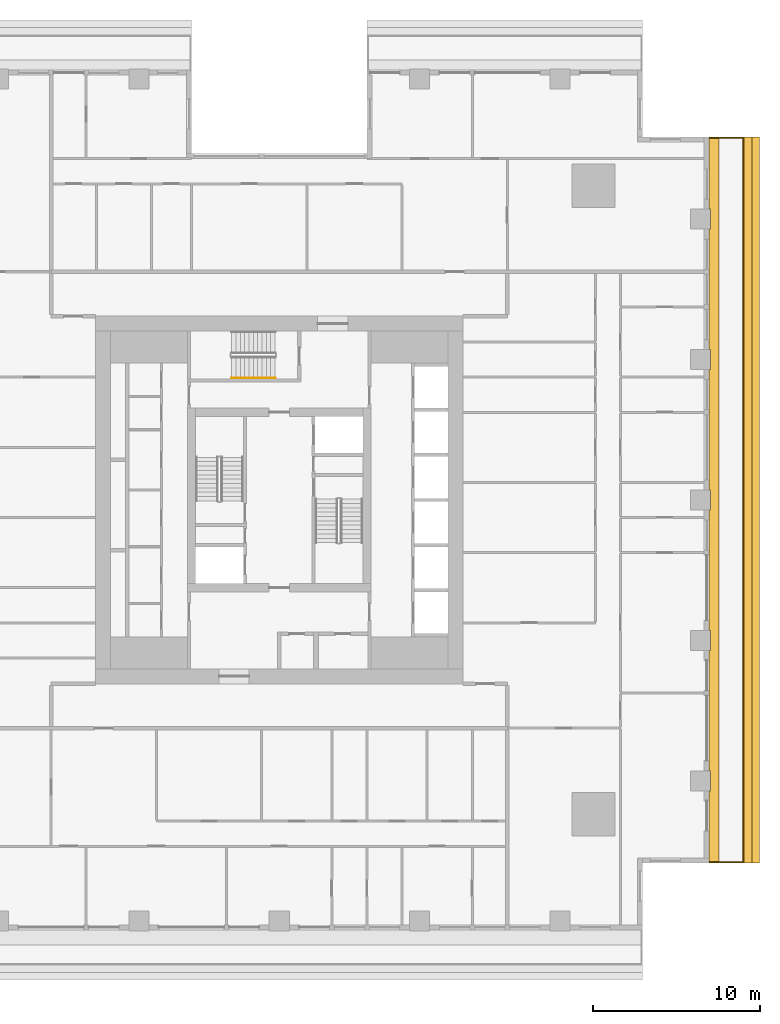
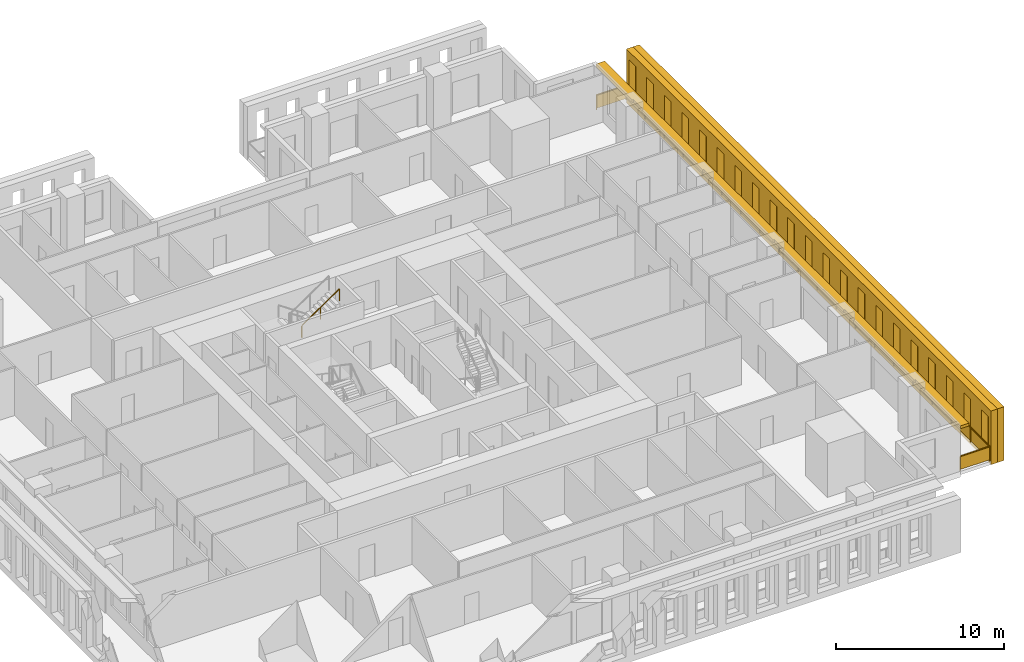
# One storey, part 13 of 15: 3 shading devices, 2 railings.
"""IFC4 building model written with IfcOpenShell, lengths in metres."""

from ifc_helpers import new_model, si_unit, direction, frame, origin, origin_2d, place, context, subcontext, project, spatial, polyline, rectangle, outline, extrude, material, layer, layer_set, type_object, element, save


model = new_model("IFC4")

# Units and contexts
model_context = context("Model", 3, precision=1e-05, world=origin(), true_north=direction((0.0, 1.0)))
body_context = subcontext(model_context, "Body", "Model", "MODEL_VIEW")
ifc_project = project(units=[si_unit("LENGTHUNIT", "METRE"), si_unit("AREAUNIT", "SQUARE_METRE"), si_unit("VOLUMEUNIT", "CUBIC_METRE"), si_unit("PLANEANGLEUNIT", "RADIAN"), si_unit("MASSUNIT", "GRAM", prefix="KILO")], contexts=[model_context])

# Site, building, storey
site_placement = place(None, origin())
site = spatial("IfcSite", under=ifc_project, at=site_placement, CompositionType="ELEMENT")
building_placement = place(site_placement, origin())
building = spatial("IfcBuilding", under=site, at=building_placement, Name="Khepri Terraces", CompositionType="ELEMENT")
storey_placement = place(building_placement, frame((0.0, 0.0, 145.5)))
storey = spatial("IfcBuildingStorey", under=building, at=storey_placement, Name="L34", CompositionType="ELEMENT", Elevation=145.5)

# Railings
ifc_material_1 = material(Name="Stainless steel grade 316", Category="steel")
railing_type_1 = type_object("IfcRailingType", Name="GRD-BAL-1100", PredefinedType="GUARDRAIL", material=ifc_material_1)
railing_1_placement = place(storey_placement, frame((25.719970703125, -21.669921875, 0.0)))
element("IfcRailing", 1, at=railing_1_placement, inside=storey, type_object=railing_type_1, Name="Balcony guard L34 E", PredefinedType="GUARDRAIL", context=body_context, shape_type="SweptSolid", body=[
    extrude(rectangle(XDim=0.050048828125, YDim=0.06005859375, at=origin_2d()), frame((0.0, 0.0, 1.070068359375), z_axis=(1.0, 0.0, 0.0), x_axis=(0.0, 1.0, 0.0)), (0.0, 0.0, 1.0), 2.050048828125),
    extrude(rectangle(XDim=2.0, YDim=0.011962890625, at=origin_2d()), frame((1.02490234375, 0.0, 0.10009765625), z_axis=(0.0, 0.0, 1.0), x_axis=(1.0, 0.0, 0.0)), (0.0, 0.0, 1.0), 0.93994140625),
    extrude(rectangle(XDim=0.050048828125, YDim=0.06005859375, at=origin_2d()), frame((2.050048828125, 0.0, 1.070068359375), z_axis=(0.0, 1.0, 0.0), x_axis=(-1.0, 0.0, 0.0)), (0.0, 0.0, 1.0), 43.33984375),
    extrude(rectangle(XDim=2.23095703125, YDim=0.011962890625, at=origin_2d()), frame((2.050048828125, 1.140625, 0.10009765625), z_axis=(0.0, 0.0, 1.0), x_axis=(0.0, 1.0, 0.0)), (0.0, 0.0, 1.0), 0.93994140625),
    extrude(rectangle(XDim=2.23095703125, YDim=0.011962890625, at=origin_2d()), frame((2.050048828125, 3.421630859375, 0.10009765625), z_axis=(0.0, 0.0, 1.0), x_axis=(0.0, 1.0, 0.0)), (0.0, 0.0, 1.0), 0.93994140625),
    extrude(rectangle(XDim=2.23095703125, YDim=0.011962890625, at=origin_2d()), frame((2.050048828125, 5.70263671875, 0.10009765625), z_axis=(0.0, 0.0, 1.0), x_axis=(0.0, 1.0, 0.0)), (0.0, 0.0, 1.0), 0.93994140625),
    extrude(rectangle(XDim=2.23095703125, YDim=0.011962890625, at=origin_2d()), frame((2.050048828125, 7.983642578125, 0.10009765625), z_axis=(0.0, 0.0, 1.0), x_axis=(0.0, 1.0, 0.0)), (0.0, 0.0, 1.0), 0.93994140625),
    extrude(rectangle(XDim=2.23095703125, YDim=0.011962890625, at=origin_2d()), frame((2.050048828125, 10.2646484375, 0.10009765625), z_axis=(0.0, 0.0, 1.0), x_axis=(0.0, 1.0, 0.0)), (0.0, 0.0, 1.0), 0.93994140625),
    extrude(rectangle(XDim=2.23095703125, YDim=0.011962890625, at=origin_2d()), frame((2.050048828125, 12.545654296875, 0.10009765625), z_axis=(0.0, 0.0, 1.0), x_axis=(0.0, 1.0, 0.0)), (0.0, 0.0, 1.0), 0.93994140625),
    extrude(rectangle(XDim=2.23095703125, YDim=0.011962890625, at=origin_2d()), frame((2.050048828125, 14.826904296875, 0.10009765625), z_axis=(0.0, 0.0, 1.0), x_axis=(0.0, 1.0, 0.0)), (0.0, 0.0, 1.0), 0.93994140625),
    extrude(rectangle(XDim=2.23095703125, YDim=0.011962890625, at=origin_2d()), frame((2.050048828125, 17.10791015625, 0.10009765625), z_axis=(0.0, 0.0, 1.0), x_axis=(0.0, 1.0, 0.0)), (0.0, 0.0, 1.0), 0.93994140625),
    extrude(rectangle(XDim=2.23095703125, YDim=0.011962890625, at=origin_2d()), frame((2.050048828125, 19.388916015625, 0.10009765625), z_axis=(0.0, 0.0, 1.0), x_axis=(0.0, 1.0, 0.0)), (0.0, 0.0, 1.0), 0.93994140625),
    extrude(rectangle(XDim=2.23095703125, YDim=0.011962890625, at=origin_2d()), frame((2.050048828125, 21.669921875, 0.10009765625), z_axis=(0.0, 0.0, 1.0), x_axis=(0.0, 1.0, 0.0)), (0.0, 0.0, 1.0), 0.93994140625),
    extrude(rectangle(XDim=2.23095703125, YDim=0.011962890625, at=origin_2d()), frame((2.050048828125, 23.950927734375, 0.10009765625), z_axis=(0.0, 0.0, 1.0), x_axis=(0.0, 1.0, 0.0)), (0.0, 0.0, 1.0), 0.93994140625),
    extrude(rectangle(XDim=2.23095703125, YDim=0.011962890625, at=origin_2d()), frame((2.050048828125, 26.23193359375, 0.10009765625), z_axis=(0.0, 0.0, 1.0), x_axis=(0.0, 1.0, 0.0)), (0.0, 0.0, 1.0), 0.93994140625),
    extrude(rectangle(XDim=2.23095703125, YDim=0.011962890625, at=origin_2d()), frame((2.050048828125, 28.512939453125, 0.10009765625), z_axis=(0.0, 0.0, 1.0), x_axis=(0.0, 1.0, 0.0)), (0.0, 0.0, 1.0), 0.93994140625),
    extrude(rectangle(XDim=2.23095703125, YDim=0.011962890625, at=origin_2d()), frame((2.050048828125, 30.794189453125, 0.10009765625), z_axis=(0.0, 0.0, 1.0), x_axis=(0.0, 1.0, 0.0)), (0.0, 0.0, 1.0), 0.93994140625),
    extrude(rectangle(XDim=2.23095703125, YDim=0.011962890625, at=origin_2d()), frame((2.050048828125, 33.0751953125, 0.10009765625), z_axis=(0.0, 0.0, 1.0), x_axis=(0.0, 1.0, 0.0)), (0.0, 0.0, 1.0), 0.93994140625),
    extrude(rectangle(XDim=2.23095703125, YDim=0.011962890625, at=origin_2d()), frame((2.050048828125, 35.356201171875, 0.10009765625), z_axis=(0.0, 0.0, 1.0), x_axis=(0.0, 1.0, 0.0)), (0.0, 0.0, 1.0), 0.93994140625),
    extrude(rectangle(XDim=2.23095703125, YDim=0.011962890625, at=origin_2d()), frame((2.050048828125, 37.63720703125, 0.10009765625), z_axis=(0.0, 0.0, 1.0), x_axis=(0.0, 1.0, 0.0)), (0.0, 0.0, 1.0), 0.93994140625),
    extrude(rectangle(XDim=2.23095703125, YDim=0.011962890625, at=origin_2d()), frame((2.050048828125, 39.918212890625, 0.10009765625), z_axis=(0.0, 0.0, 1.0), x_axis=(0.0, 1.0, 0.0)), (0.0, 0.0, 1.0), 0.93994140625),
    extrude(rectangle(XDim=2.23095703125, YDim=0.011962890625, at=origin_2d()), frame((2.050048828125, 42.19921875, 0.10009765625), z_axis=(0.0, 0.0, 1.0), x_axis=(0.0, 1.0, 0.0)), (0.0, 0.0, 1.0), 0.93994140625),
    extrude(rectangle(XDim=0.050048828125, YDim=0.06005859375, at=origin_2d()), frame((2.050048828125, 43.33984375, 1.070068359375), z_axis=(-1.0, 0.0, 0.0), x_axis=(0.0, -1.0, 0.0)), (0.0, 0.0, 1.0), 2.050048828125),
    extrude(rectangle(XDim=2.0, YDim=0.011962890625, at=origin_2d()), frame((1.02490234375, 43.33984375, 0.10009765625), z_axis=(0.0, 0.0, 1.0), x_axis=(-1.0, 0.0, 0.0)), (0.0, 0.0, 1.0), 0.93994140625),
    extrude(rectangle(XDim=0.050048828125, YDim=0.050048828125, at=origin_2d()), origin(), (0.0, 0.0, 1.0), 1.0400390625),
    extrude(rectangle(XDim=0.050048828125, YDim=0.050048828125, at=origin_2d()), frame((2.050048828125, 0.0, 0.0)), (0.0, 0.0, 1.0), 1.0400390625),
    extrude(rectangle(XDim=0.050048828125, YDim=0.050048828125, at=origin_2d()), frame((2.050048828125, 2.281005859375, 0.0)), (0.0, 0.0, 1.0), 1.0400390625),
    extrude(rectangle(XDim=0.050048828125, YDim=0.050048828125, at=origin_2d()), frame((2.050048828125, 4.56201171875, 0.0)), (0.0, 0.0, 1.0), 1.0400390625),
    extrude(rectangle(XDim=0.050048828125, YDim=0.050048828125, at=origin_2d()), frame((2.050048828125, 6.843017578125, 0.0)), (0.0, 0.0, 1.0), 1.0400390625),
    extrude(rectangle(XDim=0.050048828125, YDim=0.050048828125, at=origin_2d()), frame((2.050048828125, 9.124267578125, 0.0)), (0.0, 0.0, 1.0), 1.0400390625),
    extrude(rectangle(XDim=0.050048828125, YDim=0.050048828125, at=origin_2d()), frame((2.050048828125, 11.4052734375, 0.0)), (0.0, 0.0, 1.0), 1.0400390625),
    extrude(rectangle(XDim=0.050048828125, YDim=0.050048828125, at=origin_2d()), frame((2.050048828125, 13.686279296875, 0.0)), (0.0, 0.0, 1.0), 1.0400390625),
    extrude(rectangle(XDim=0.050048828125, YDim=0.050048828125, at=origin_2d()), frame((2.050048828125, 15.96728515625, 0.0)), (0.0, 0.0, 1.0), 1.0400390625),
    extrude(rectangle(XDim=0.050048828125, YDim=0.050048828125, at=origin_2d()), frame((2.050048828125, 18.248291015625, 0.0)), (0.0, 0.0, 1.0), 1.0400390625),
    extrude(rectangle(XDim=0.050048828125, YDim=0.050048828125, at=origin_2d()), frame((2.050048828125, 20.529296875, 0.0)), (0.0, 0.0, 1.0), 1.0400390625),
    extrude(rectangle(XDim=0.050048828125, YDim=0.050048828125, at=origin_2d()), frame((2.050048828125, 22.810546875, 0.0)), (0.0, 0.0, 1.0), 1.0400390625),
    extrude(rectangle(XDim=0.050048828125, YDim=0.050048828125, at=origin_2d()), frame((2.050048828125, 25.091552734375, 0.0)), (0.0, 0.0, 1.0), 1.0400390625),
    extrude(rectangle(XDim=0.050048828125, YDim=0.050048828125, at=origin_2d()), frame((2.050048828125, 27.37255859375, 0.0)), (0.0, 0.0, 1.0), 1.0400390625),
    extrude(rectangle(XDim=0.050048828125, YDim=0.050048828125, at=origin_2d()), frame((2.050048828125, 29.653564453125, 0.0)), (0.0, 0.0, 1.0), 1.0400390625),
    extrude(rectangle(XDim=0.050048828125, YDim=0.050048828125, at=origin_2d()), frame((2.050048828125, 31.9345703125, 0.0)), (0.0, 0.0, 1.0), 1.0400390625),
    extrude(rectangle(XDim=0.050048828125, YDim=0.050048828125, at=origin_2d()), frame((2.050048828125, 34.215576171875, 0.0)), (0.0, 0.0, 1.0), 1.0400390625),
    extrude(rectangle(XDim=0.050048828125, YDim=0.050048828125, at=origin_2d()), frame((2.050048828125, 36.496826171875, 0.0)), (0.0, 0.0, 1.0), 1.0400390625),
    extrude(rectangle(XDim=0.050048828125, YDim=0.050048828125, at=origin_2d()), frame((2.050048828125, 38.77783203125, 0.0)), (0.0, 0.0, 1.0), 1.0400390625),
    extrude(rectangle(XDim=0.050048828125, YDim=0.050048828125, at=origin_2d()), frame((2.050048828125, 41.058837890625, 0.0)), (0.0, 0.0, 1.0), 1.0400390625),
    extrude(rectangle(XDim=0.050048828125, YDim=0.050048828125, at=origin_2d()), frame((2.050048828125, 43.33984375, 0.0)), (0.0, 0.0, 1.0), 1.0400390625),
    extrude(rectangle(XDim=0.050048828125, YDim=0.050048828125, at=origin_2d()), frame((0.0, 43.33984375, 0.0)), (0.0, 0.0, 1.0), 1.0400390625),
])
ifc_material_2 = material(Name="Stainless steel 316", Category="steel")
railing_type_2 = type_object("IfcRailingType", Name="RL-CORE-HANDRAIL", PredefinedType="HANDRAIL", material=ifc_material_2)
railing_2_placement = place(storey_placement, frame((-2.85009765625, 7.300048828125, 2.127197265625)))
element("IfcRailing", 2, at=railing_2_placement, inside=storey, type_object=railing_type_2, Name="L34 ST-3 stair handrail 2", PredefinedType="HANDRAIL", context=body_context, shape_type="SweptSolid", body=[
    extrude(rectangle(XDim=0.050048828125, YDim=0.050048828125, at=origin_2d()), frame((0.0, 0.0, 0.875), z_axis=(0.826240473404, 0.0, 0.563317565952), x_axis=(0.0, 1.0, 0.0)), (0.0, 0.0, 1.0), 3.14697265625),
    extrude(rectangle(XDim=0.050048828125, YDim=0.050048828125, at=origin_2d()), origin(), (0.0, 0.0, 1.0), 0.849853515625),
    extrude(rectangle(XDim=0.050048828125, YDim=0.050048828125, at=origin_2d()), frame((1.300048828125, 0.0, 0.88623046875)), (0.0, 0.0, 1.0), 0.849853515625),
    extrude(rectangle(XDim=0.050048828125, YDim=0.050048828125, at=origin_2d()), frame((2.60009765625, 0.0, 1.772705078125)), (0.0, 0.0, 1.0), 0.849853515625),
])

# Shading devices
ifc_material_3 = material(Name="Precast concrete C50/60 warm stone", Category="masonry")
shading_device_type_1 = type_object("IfcShadingDeviceType", Name="SCR-CELL-INNER-450", PredefinedType="USERDEFINED", material=ifc_material_3)
shading_device_1_placement = place(storey_placement, frame((27.820068359375, -21.719970703125, -0.25), z_axis=(1.0, 0.0, 0.0), x_axis=(0.0, 1.0, 0.0)))
element("IfcShadingDevice", 3, at=shading_device_1_placement, inside=storey, type_object=shading_device_type_1, Name="Cell screen L34 E in", ObjectType="SCREEN", PredefinedType="USERDEFINED", context=body_context, shape_type="SweptSolid", body=[
    extrude(outline(polyline([(0.0, 0.0), (43.43994140625, 0.0), (43.43994140625, 3.89990234375), (0.0, 3.89990234375), (0.0, 0.0)]), holes=[polyline([(0.318359375, 0.699951171875), (1.12158203125, 0.699951171875), (1.12158203125, 3.300048828125), (0.318359375, 3.300048828125), (0.318359375, 0.699951171875)]), polyline([(2.41845703125, 0.699951171875), (3.2216796875, 0.699951171875), (3.2216796875, 3.300048828125), (2.41845703125, 3.300048828125), (2.41845703125, 0.699951171875)]), polyline([(4.518310546875, 0.699951171875), (5.321533203125, 0.699951171875), (5.321533203125, 3.300048828125), (4.518310546875, 3.300048828125), (4.518310546875, 0.699951171875)]), polyline([(6.618408203125, 0.699951171875), (7.421630859375, 0.699951171875), (7.421630859375, 3.300048828125), (6.618408203125, 3.300048828125), (6.618408203125, 0.699951171875)]), polyline([(8.718505859375, 0.699951171875), (9.521484375, 0.699951171875), (9.521484375, 3.300048828125), (8.718505859375, 3.300048828125), (8.718505859375, 0.699951171875)]), polyline([(10.818359375, 0.699951171875), (11.62158203125, 0.699951171875), (11.62158203125, 3.300048828125), (10.818359375, 3.300048828125), (10.818359375, 0.699951171875)]), polyline([(12.91845703125, 0.699951171875), (13.7216796875, 0.699951171875), (13.7216796875, 3.300048828125), (12.91845703125, 3.300048828125), (12.91845703125, 0.699951171875)]), polyline([(15.018310546875, 0.699951171875), (15.821533203125, 0.699951171875), (15.821533203125, 3.300048828125), (15.018310546875, 3.300048828125), (15.018310546875, 0.699951171875)]), polyline([(17.118408203125, 0.699951171875), (17.921630859375, 0.699951171875), (17.921630859375, 3.300048828125), (17.118408203125, 3.300048828125), (17.118408203125, 0.699951171875)]), polyline([(19.218505859375, 0.699951171875), (20.021484375, 0.699951171875), (20.021484375, 3.300048828125), (19.218505859375, 3.300048828125), (19.218505859375, 0.699951171875)]), polyline([(21.318359375, 0.699951171875), (22.12158203125, 0.699951171875), (22.12158203125, 3.300048828125), (21.318359375, 3.300048828125), (21.318359375, 0.699951171875)]), polyline([(23.41845703125, 0.699951171875), (24.2216796875, 0.699951171875), (24.2216796875, 3.300048828125), (23.41845703125, 3.300048828125), (23.41845703125, 0.699951171875)]), polyline([(25.518310546875, 0.699951171875), (26.321533203125, 0.699951171875), (26.321533203125, 3.300048828125), (25.518310546875, 3.300048828125), (25.518310546875, 0.699951171875)]), polyline([(27.618408203125, 0.699951171875), (28.421630859375, 0.699951171875), (28.421630859375, 3.300048828125), (27.618408203125, 3.300048828125), (27.618408203125, 0.699951171875)]), polyline([(29.718505859375, 0.699951171875), (30.521484375, 0.699951171875), (30.521484375, 3.300048828125), (29.718505859375, 3.300048828125), (29.718505859375, 0.699951171875)]), polyline([(31.818359375, 0.699951171875), (32.62158203125, 0.699951171875), (32.62158203125, 3.300048828125), (31.818359375, 3.300048828125), (31.818359375, 0.699951171875)]), polyline([(33.91845703125, 0.699951171875), (34.7216796875, 0.699951171875), (34.7216796875, 3.300048828125), (33.91845703125, 3.300048828125), (33.91845703125, 0.699951171875)]), polyline([(36.018310546875, 0.699951171875), (36.821533203125, 0.699951171875), (36.821533203125, 3.300048828125), (36.018310546875, 3.300048828125), (36.018310546875, 0.699951171875)]), polyline([(38.118408203125, 0.699951171875), (38.921630859375, 0.699951171875), (38.921630859375, 3.300048828125), (38.118408203125, 3.300048828125), (38.118408203125, 0.699951171875)]), polyline([(40.218505859375, 0.699951171875), (41.021484375, 0.699951171875), (41.021484375, 3.300048828125), (40.218505859375, 3.300048828125), (40.218505859375, 0.699951171875)]), polyline([(42.318359375, 0.699951171875), (43.12158203125, 0.699951171875), (43.12158203125, 3.300048828125), (42.318359375, 3.300048828125), (42.318359375, 0.699951171875)])]), origin(), (0.0, 0.0, 1.0), 0.449951171875),
])
shading_device_type_2 = type_object("IfcShadingDeviceType", Name="SCR-CELL-OUTER-450", PredefinedType="USERDEFINED", material=ifc_material_3)
shading_device_2_placement = place(storey_placement, frame((28.27001953125, -21.719970703125, -0.25), z_axis=(1.0, 0.0, 0.0), x_axis=(0.0, 1.0, 0.0)))
element("IfcShadingDevice", 4, at=shading_device_2_placement, inside=storey, type_object=shading_device_type_2, Name="Cell screen L34 E out", ObjectType="SCREEN", PredefinedType="USERDEFINED", context=body_context, shape_type="SweptSolid", body=[
    extrude(outline(polyline([(0.0, 0.0), (43.43994140625, 0.0), (43.43994140625, 3.89990234375), (0.0, 3.89990234375), (0.0, 0.0)]), holes=[polyline([(2.068359375, 0.449951171875), (3.571533203125, 0.449951171875), (3.571533203125, 3.550048828125), (2.068359375, 3.550048828125), (2.068359375, 0.449951171875)]), polyline([(4.16845703125, 0.449951171875), (5.671630859375, 0.449951171875), (5.671630859375, 3.550048828125), (4.16845703125, 3.550048828125), (4.16845703125, 0.449951171875)]), polyline([(6.268310546875, 0.449951171875), (7.771484375, 0.449951171875), (7.771484375, 3.550048828125), (6.268310546875, 3.550048828125), (6.268310546875, 0.449951171875)]), polyline([(8.368408203125, 0.449951171875), (9.87158203125, 0.449951171875), (9.87158203125, 3.550048828125), (8.368408203125, 3.550048828125), (8.368408203125, 0.449951171875)]), polyline([(10.468505859375, 0.449951171875), (11.9716796875, 0.449951171875), (11.9716796875, 3.550048828125), (10.468505859375, 3.550048828125), (10.468505859375, 0.449951171875)]), polyline([(12.568359375, 0.449951171875), (14.071533203125, 0.449951171875), (14.071533203125, 3.550048828125), (12.568359375, 3.550048828125), (12.568359375, 0.449951171875)]), polyline([(14.66845703125, 0.449951171875), (16.171630859375, 0.449951171875), (16.171630859375, 3.550048828125), (14.66845703125, 3.550048828125), (14.66845703125, 0.449951171875)]), polyline([(16.768310546875, 0.449951171875), (18.271484375, 0.449951171875), (18.271484375, 3.550048828125), (16.768310546875, 3.550048828125), (16.768310546875, 0.449951171875)]), polyline([(18.868408203125, 0.449951171875), (20.37158203125, 0.449951171875), (20.37158203125, 3.550048828125), (18.868408203125, 3.550048828125), (18.868408203125, 0.449951171875)]), polyline([(20.968505859375, 0.449951171875), (22.4716796875, 0.449951171875), (22.4716796875, 3.550048828125), (20.968505859375, 3.550048828125), (20.968505859375, 0.449951171875)]), polyline([(23.068359375, 0.449951171875), (24.571533203125, 0.449951171875), (24.571533203125, 3.550048828125), (23.068359375, 3.550048828125), (23.068359375, 0.449951171875)]), polyline([(25.16845703125, 0.449951171875), (26.671630859375, 0.449951171875), (26.671630859375, 3.550048828125), (25.16845703125, 3.550048828125), (25.16845703125, 0.449951171875)]), polyline([(27.268310546875, 0.449951171875), (28.771484375, 0.449951171875), (28.771484375, 3.550048828125), (27.268310546875, 3.550048828125), (27.268310546875, 0.449951171875)]), polyline([(29.368408203125, 0.449951171875), (30.87158203125, 0.449951171875), (30.87158203125, 3.550048828125), (29.368408203125, 3.550048828125), (29.368408203125, 0.449951171875)]), polyline([(31.468505859375, 0.449951171875), (32.9716796875, 0.449951171875), (32.9716796875, 3.550048828125), (31.468505859375, 3.550048828125), (31.468505859375, 0.449951171875)]), polyline([(33.568359375, 0.449951171875), (35.071533203125, 0.449951171875), (35.071533203125, 3.550048828125), (33.568359375, 3.550048828125), (33.568359375, 0.449951171875)]), polyline([(35.66845703125, 0.449951171875), (37.171630859375, 0.449951171875), (37.171630859375, 3.550048828125), (35.66845703125, 3.550048828125), (35.66845703125, 0.449951171875)]), polyline([(37.768310546875, 0.449951171875), (39.271484375, 0.449951171875), (39.271484375, 3.550048828125), (37.768310546875, 3.550048828125), (37.768310546875, 0.449951171875)]), polyline([(39.868408203125, 0.449951171875), (41.37158203125, 0.449951171875), (41.37158203125, 3.550048828125), (39.868408203125, 3.550048828125), (39.868408203125, 0.449951171875)])]), origin(), (0.0, 0.0, 1.0), 0.449951171875),
])
ifc_layer = layer(ifc_material_3, 0.199951171875, Name="Precast concrete C50/60 warm stone", Category="masonry")
ifc_layer_set = layer_set([ifc_layer], Name="Precast concrete C50/60 warm stone")
shading_device_type_3 = type_object("IfcShadingDeviceType", Name="SSH-BAND-STONE-200-N", PredefinedType="USERDEFINED", material=ifc_layer_set)
shading_device_3_placement = place(storey_placement, frame((0.0, 0.0, 3.10009765625)))
element("IfcShadingDevice", 5, at=shading_device_3_placement, inside=storey, type_object=shading_device_type_3, Name="Sunshade band L34 E", ObjectType="SUNSHADE", PredefinedType="USERDEFINED", context=body_context, shape_type="SweptSolid", body=[
    extrude(outline(polyline([(25.719970703125, -17.39990234375), (25.719970703125, -21.719970703125), (26.320068359375, -21.719970703125), (26.320068359375, 21.719970703125), (25.719970703125, 21.719970703125), (25.719970703125, 17.39990234375), (25.800048828125, 17.39990234375), (25.800048828125, 16.199951171875), (25.719970703125, 16.199951171875), (25.719970703125, 9.0), (25.800048828125, 9.0), (25.800048828125, 7.800048828125), (25.719970703125, 7.800048828125), (25.719970703125, 0.60009765625), (25.800048828125, 0.60009765625), (25.800048828125, -0.60009765625), (25.719970703125, -0.60009765625), (25.719970703125, -7.800048828125), (25.800048828125, -7.800048828125), (25.800048828125, -9.0), (25.719970703125, -9.0), (25.719970703125, -16.199951171875), (25.800048828125, -16.199951171875), (25.800048828125, -17.39990234375), (25.719970703125, -17.39990234375)])), origin(), (0.0, 0.0, 1.0), 0.199951171875),
])

save(model, "model.ifc")
